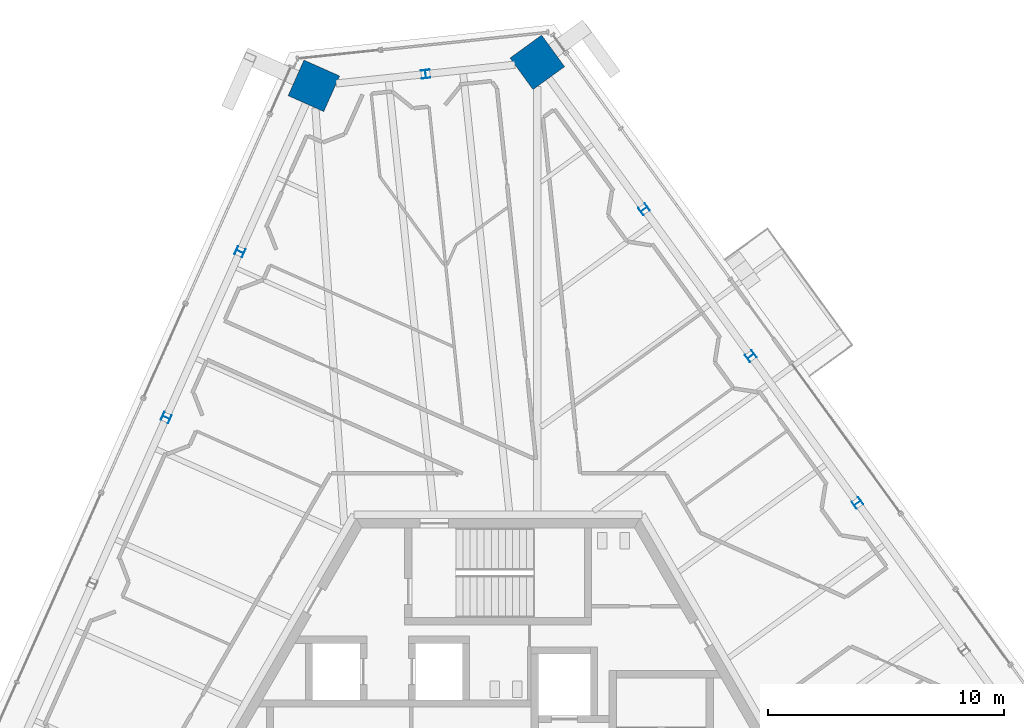
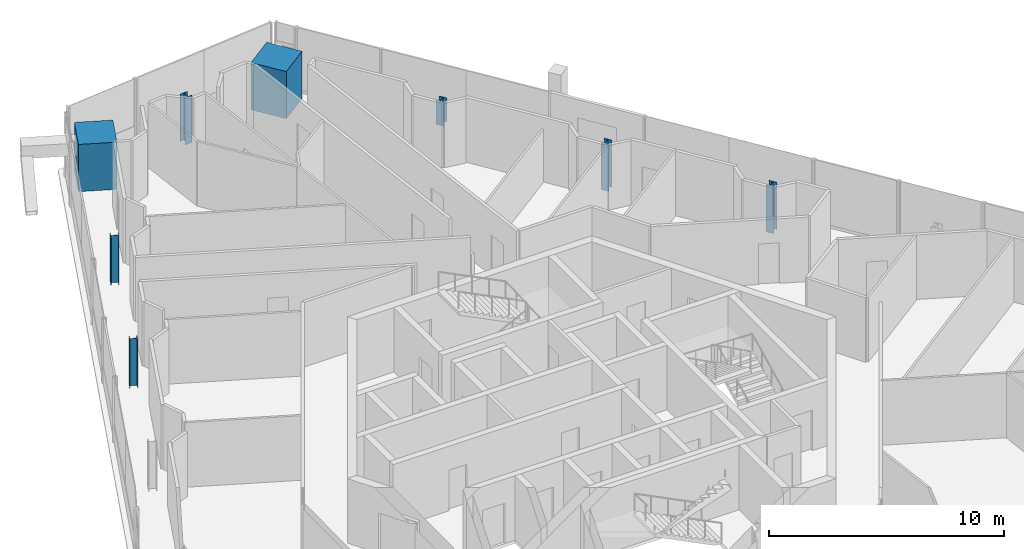
# One storey, part 3 of 26: 8 columns.
"""IFC4 building model written with IfcOpenShell, lengths in metres."""

from ifc_helpers import new_model, si_unit, direction, frame, origin, origin_2d, place, context, subcontext, project, spatial, rectangle, i_section, extrude, source, transform, mapped, material, material_profile, profile_set, type_object, element, save


model = new_model("IFC4")

# Units and contexts
model_context = context("Model", 3, precision=1e-05, world=origin(), true_north=direction((0.0, 1.0)))
body_context = subcontext(model_context, "Body", "Model", "MODEL_VIEW")
ifc_project = project(units=[si_unit("LENGTHUNIT", "METRE"), si_unit("AREAUNIT", "SQUARE_METRE"), si_unit("VOLUMEUNIT", "CUBIC_METRE"), si_unit("PLANEANGLEUNIT", "RADIAN"), si_unit("MASSUNIT", "GRAM", prefix="KILO")], contexts=[model_context])

# Site, building, storey
site_placement = place(None, origin())
site = spatial("IfcSite", under=ifc_project, at=site_placement, CompositionType="ELEMENT")
building_placement = place(site_placement, origin())
building = spatial("IfcBuilding", under=site, at=building_placement, Name="Triune Harvest Tower", CompositionType="ELEMENT")
storey_placement = place(building_placement, frame((0.0, 0.0, 252.10009765625)))
storey = spatial("IfcBuildingStorey", under=building, at=storey_placement, Name="L66", CompositionType="ELEMENT", Elevation=252.10009765625)

# Columns
ifc_material_1 = material(Name="Concrete 70 MPa", Category="concrete")
ifc_material_profile_1 = material_profile(ifc_material_1, rectangle(XDim=1.64990234375, YDim=1.64990234375, at=origin_2d()), Name="Composite 1650x1650")
ifc_profile_set_1 = profile_set([ifc_material_profile_1], Name="Concrete 70 MPa")
column_type_1 = type_object("IfcColumnType", Name="MC-6 Mega column Composite 1650x1650", PredefinedType="COLUMN", material=ifc_profile_set_1)
shared_shape_1 = source(origin(), body_context, "Body", "SweptSolid", [
    extrude(rectangle(XDim=1.64990234375, YDim=1.64990234375, at=origin_2d()), origin(), (0.0, 0.0, 1.0), 2.449951171875),
])
for number, where, z_axis, x_axis, name in (
    (1, (1.658203125, 29.681640625, 0.0), (0.0, 0.0, 1.0), (-0.587785252292, 0.809016994375, 0.0), "col/L66/M6"),
    (2, (-7.793212890625, 28.688232421875, 0.0), (0.0, 0.0, 1.0), (-0.406738237513, -0.913544747752, 0.0), "col/L66/M8"),
):
    element("IfcColumn", number, at=place(storey_placement, frame(where, z_axis=z_axis, x_axis=x_axis)), inside=storey, type_object=column_type_1, Name=name, PredefinedType="COLUMN", context=body_context, shape_type="MappedRepresentation", body=[
        mapped(shared_shape_1, transform((0.0, 0.0, 0.0), scale=1.0)),
    ])
ifc_material_2 = material(Name="Steel ASTM A992 Gr 50", Category="steel")
ifc_material_profile_2 = material_profile(ifc_material_2, i_section(OverallWidth=0.368408203125, OverallDepth=0.355712890625, WebThickness=0.01123046875, FlangeThickness=0.01806640625, at=origin_2d()), Name="W14x90")
ifc_profile_set_2 = profile_set([ifc_material_profile_2], Name="Steel ASTM A992 Gr 50")
column_type_2 = type_object("IfcColumnType", Name="PC-6 Perimeter column W14x90", PredefinedType="COLUMN", material=ifc_profile_set_2)
shared_shape_2 = source(origin(), body_context, "Body", "SweptSolid", [
    extrude(i_section(OverallWidth=0.368408203125, OverallDepth=0.355712890625, WebThickness=0.01123046875, FlangeThickness=0.01806640625, at=origin_2d()), origin(), (0.0, 0.0, 1.0), 2.449951171875),
])
for number, where, z_axis, x_axis, name in (
    (3, (15.19970703125, 11.043212890625, 0.0), (0.0, 0.0, 1.0), (-0.587785252292, 0.809016994375, 0.0), "col/L66/P3"),
    (4, (10.685791015625, 17.256103515625, 0.0), (0.0, 0.0, 1.0), (-0.587785252292, 0.809016994375, 0.0), "col/L66/P4"),
    (5, (-3.0673828125, 29.18505859375, 0.0), (0.0, 0.0, 1.0), (-0.994521895368, -0.104528463268, 0.0), "col/L66/P7"),
    (6, (-10.91650390625, 21.6728515625, 0.0), (0.0, 0.0, 1.0), (-0.406738237513, -0.913544747752, 0.0), "col/L66/P9"),
    (7, (-14.0400390625, 14.6572265625, 0.0), (0.0, 0.0, 1.0), (-0.406738237513, -0.913544747752, 0.0), "col/L66/P10"),
):
    element("IfcColumn", number, at=place(storey_placement, frame(where, z_axis=z_axis, x_axis=x_axis)), inside=storey, type_object=column_type_2, Name=name, PredefinedType="COLUMN", context=body_context, shape_type="MappedRepresentation", body=[
        mapped(shared_shape_2, transform((0.0, 0.0, 0.0), scale=1.0)),
    ])
shared_shape_3 = source(origin(), body_context, "Body", "SweptSolid", [
    extrude(i_section(OverallWidth=0.368408203125, OverallDepth=0.355712890625, WebThickness=0.01123046875, FlangeThickness=0.01806640625, at=origin_2d()), origin(), (0.0, 0.0, 1.0), 1.25),
])
column_placement = place(storey_placement, frame((6.172119140625, 23.468994140625, 1.199951171875), z_axis=(0.0, 0.0, 1.0), x_axis=(-0.587785252292, 0.809016994375, 0.0)))
element("IfcColumn", 8, at=column_placement, inside=storey, type_object=column_type_2, Name="col/L66/P5", PredefinedType="COLUMN", context=body_context, shape_type="MappedRepresentation", body=[
    mapped(shared_shape_3, transform((0.0, 0.0, 0.0), scale=1.0)),
])

save(model, "model.ifc")
